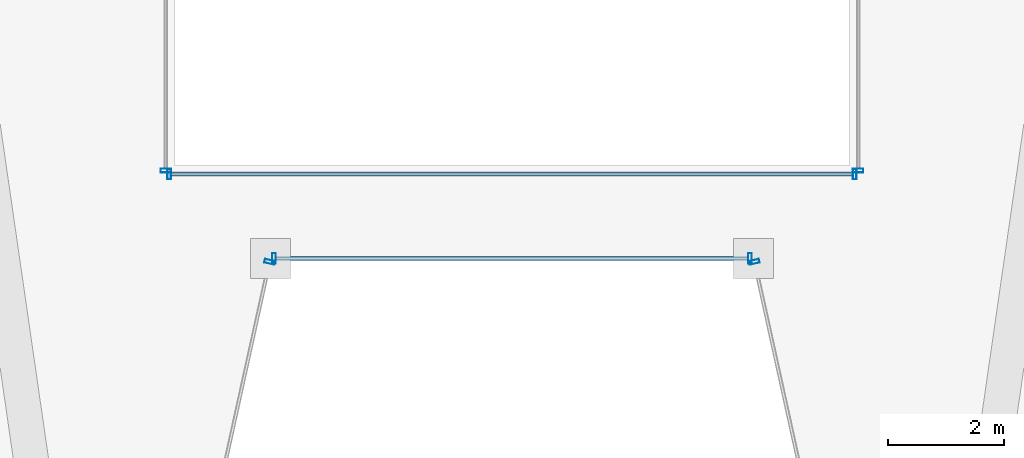
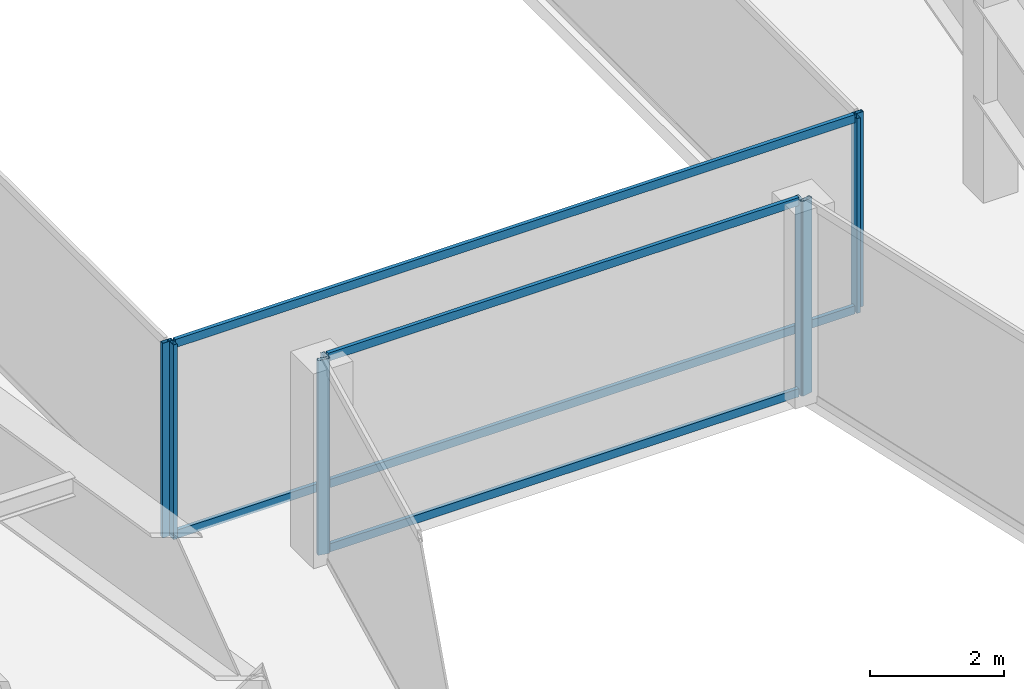
# One storey, part 7 of 37: 12 members, 6 elements without a shape of their own.
"""IFC4 building model written with IfcOpenShell, lengths in metres."""

from ifc_helpers import new_model, si_unit, direction, frame, origin, origin_2d, place, context, subcontext, project, spatial, hollow_rectangle, extrude, material, material_profile, profile_set, type_object, element, aggregate, save


model = new_model("IFC4")

# Units and contexts
model_context = context("Model", 3, precision=1e-05, world=origin(), true_north=direction((0.0, 1.0)))
body_context = subcontext(model_context, "Body", "Model", "MODEL_VIEW")
ifc_project = project(units=[si_unit("LENGTHUNIT", "METRE"), si_unit("AREAUNIT", "SQUARE_METRE"), si_unit("VOLUMEUNIT", "CUBIC_METRE"), si_unit("PLANEANGLEUNIT", "RADIAN"), si_unit("MASSUNIT", "GRAM", prefix="KILO")], contexts=[model_context])

# Site, building, storey
site_placement = place(None, origin())
site = spatial("IfcSite", under=ifc_project, at=site_placement, CompositionType="ELEMENT")
building_placement = place(site_placement, origin())
building = spatial("IfcBuilding", under=site, at=building_placement, Name="Saevonmaru Cultural Tower", CompositionType="ELEMENT")
storey_placement = place(building_placement, frame((0.0, 0.0, 163.800048828125)))
storey = spatial("IfcBuildingStorey", under=building, at=storey_placement, Name="L36", CompositionType="ELEMENT", Elevation=163.800048828125)

# Curtain wall, member
ifc_material = material(Name="Satin Bronze Anodised Aluminium", Category="aluminium")
curtain_wall_type_1 = type_object("IfcCurtainWallType", Name="CW-TYP-A", PredefinedType="NOTDEFINED", material=ifc_material)
curtain_wall_1_placement = place(storey_placement, origin())
curtain_wall_1 = element("IfcCurtainWall", 1, at=curtain_wall_1_placement, inside=storey, type_object=curtain_wall_type_1, Name="L36 Unitised Curtain Wall E3", PredefinedType="NOTDEFINED")
ifc_material_profile_1 = material_profile(ifc_material, hollow_rectangle(XDim=0.06494140625, YDim=0.179931640625, WallThickness=0.00390625, at=origin_2d()), Name="ALU-MULL-180x65x4")
ifc_profile_set_1 = profile_set([ifc_material_profile_1], Name="Satin Bronze Anodised Aluminium")
member_type_1 = type_object("IfcMemberType", Name="ML-CW-180x65", PredefinedType="MULLION", material=ifc_profile_set_1)
member_1_placement = place(storey_placement, frame((25.8359375, 20.741455078125, 0.0), z_axis=(0.0, 0.0, 1.0), x_axis=(0.215413319953, 0.976522965212, 0.0)))
member_1 = element("IfcMember", 2, at=member_1_placement, type_object=member_type_1, Name="CW-TW-L36-E3 mullion 2", PredefinedType="MULLION", context=body_context, shape_type="SweptSolid", body=[
    extrude(hollow_rectangle(XDim=0.06494140625, YDim=0.179931640625, WallThickness=0.00390625, at=origin_2d()), origin(), (0.0, 0.0, 1.0), 3.550048828125),
])
aggregate(curtain_wall_1, [member_1])

# Curtain wall, members
curtain_wall_2_placement = place(storey_placement, origin())
curtain_wall_2 = element("IfcCurtainWall", 3, at=curtain_wall_2_placement, inside=storey, type_object=curtain_wall_type_1, Name="L36 Unitised Curtain Wall E4", PredefinedType="NOTDEFINED")
member_2_placement = place(storey_placement, frame((25.908935546875, 20.800048828125, 0.0), z_axis=(0.0, 0.0, 1.0), x_axis=(1.0, 0.0, 0.0)))
member_2 = element("IfcMember", 4, at=member_2_placement, type_object=member_type_1, Name="CW-TW-L36-E4 mullion 1", PredefinedType="MULLION", context=body_context, shape_type="SweptSolid", body=[
    extrude(hollow_rectangle(XDim=0.06494140625, YDim=0.179931640625, WallThickness=0.00390625, at=origin_2d()), origin(), (0.0, 0.0, 1.0), 3.550048828125),
])
member_3_placement = place(storey_placement, frame((34.091064453125, 20.800048828125, 0.0), z_axis=(0.0, 0.0, 1.0), x_axis=(1.0, 0.0, 0.0)))
member_3 = element("IfcMember", 5, at=member_3_placement, type_object=member_type_1, Name="CW-TW-L36-E4 mullion 2", PredefinedType="MULLION", context=body_context, shape_type="SweptSolid", body=[
    extrude(hollow_rectangle(XDim=0.06494140625, YDim=0.179931640625, WallThickness=0.00390625, at=origin_2d()), origin(), (0.0, 0.0, 1.0), 3.550048828125),
])

# Curtain wall, member
curtain_wall_3_placement = place(storey_placement, origin())
curtain_wall_3 = element("IfcCurtainWall", 6, at=curtain_wall_3_placement, inside=storey, type_object=curtain_wall_type_1, Name="L36 Unitised Curtain Wall E5", PredefinedType="NOTDEFINED")
member_4_placement = place(storey_placement, frame((34.1640625, 20.741455078125, 0.0), z_axis=(0.0, 0.0, 1.0), x_axis=(0.215413319953, -0.976522965212, 0.0)))
member_4 = element("IfcMember", 7, at=member_4_placement, type_object=member_type_1, Name="CW-TW-L36-E5 mullion 1", PredefinedType="MULLION", context=body_context, shape_type="SweptSolid", body=[
    extrude(hollow_rectangle(XDim=0.06494140625, YDim=0.179931640625, WallThickness=0.00390625, at=origin_2d()), origin(), (0.0, 0.0, 1.0), 3.550048828125),
])
aggregate(curtain_wall_3, [member_4])

# Curtain wall, members
curtain_wall_type_2 = type_object("IfcCurtainWallType", Name="CW-ATR-GLZ", PredefinedType="NOTDEFINED", material=ifc_material)
curtain_wall_4_placement = place(storey_placement, origin())
curtain_wall_4 = element("IfcCurtainWall", 8, at=curtain_wall_4_placement, inside=storey, type_object=curtain_wall_type_2, Name="L36 Vertical Atrium Glazed Smoke Screen 1", PredefinedType="NOTDEFINED")
ifc_material_profile_2 = material_profile(ifc_material, hollow_rectangle(XDim=0.06494140625, YDim=0.179931640625, WallThickness=0.00390625, at=origin_2d()), Name="ALU-MULL-180x65x4")
ifc_profile_set_2 = profile_set([ifc_material_profile_2], Name="Satin Bronze Anodised Aluminium")
member_type_2 = type_object("IfcMemberType", Name="ML-CW-INT-180x65", PredefinedType="MULLION", material=ifc_profile_set_2)
member_5_placement = place(storey_placement, frame((24.110107421875, 22.25, 0.0), z_axis=(0.0, 0.0, 1.0), x_axis=(1.0, 0.0, 0.0)))
member_5 = element("IfcMember", 9, at=member_5_placement, type_object=member_type_2, Name="CW-ATR-L36-1 mullion 1", PredefinedType="MULLION", context=body_context, shape_type="SweptSolid", body=[
    extrude(hollow_rectangle(XDim=0.06494140625, YDim=0.179931640625, WallThickness=0.00390625, at=origin_2d()), origin(), (0.0, 0.0, 1.0), 3.550048828125),
])
member_6_placement = place(storey_placement, frame((35.889892578125, 22.25, 0.0), z_axis=(0.0, 0.0, 1.0), x_axis=(1.0, 0.0, 0.0)))
member_6 = element("IfcMember", 10, at=member_6_placement, type_object=member_type_2, Name="CW-ATR-L36-1 mullion 2", PredefinedType="MULLION", context=body_context, shape_type="SweptSolid", body=[
    extrude(hollow_rectangle(XDim=0.06494140625, YDim=0.179931640625, WallThickness=0.00390625, at=origin_2d()), origin(), (0.0, 0.0, 1.0), 3.550048828125),
])

# Curtain wall, member
curtain_wall_5_placement = place(storey_placement, origin())
curtain_wall_5 = element("IfcCurtainWall", 11, at=curtain_wall_5_placement, inside=storey, type_object=curtain_wall_type_2, Name="L36 Vertical Atrium Glazed Smoke Screen 2", PredefinedType="NOTDEFINED")
member_7_placement = place(storey_placement, frame((35.949951171875, 22.31005859375, 0.0), z_axis=(0.0, 0.0, 1.0), x_axis=(0.0, 1.0, 0.0)))
member_7 = element("IfcMember", 12, at=member_7_placement, type_object=member_type_2, Name="CW-ATR-L36-2 mullion 1", PredefinedType="MULLION", context=body_context, shape_type="SweptSolid", body=[
    extrude(hollow_rectangle(XDim=0.06494140625, YDim=0.179931640625, WallThickness=0.00390625, at=origin_2d()), origin(), (0.0, 0.0, 1.0), 3.550048828125),
])
aggregate(curtain_wall_5, [member_7])

curtain_wall_6_placement = place(storey_placement, origin())
curtain_wall_6 = element("IfcCurtainWall", 13, at=curtain_wall_6_placement, inside=storey, type_object=curtain_wall_type_2, Name="L36 Vertical Atrium Glazed Smoke Screen 4", PredefinedType="NOTDEFINED")
member_8_placement = place(storey_placement, frame((24.050048828125, 22.31005859375, 0.0), z_axis=(0.0, 0.0, 1.0), x_axis=(0.0, -1.0, 0.0)))
member_8 = element("IfcMember", 14, at=member_8_placement, type_object=member_type_2, Name="CW-ATR-L36-4 mullion 2", PredefinedType="MULLION", context=body_context, shape_type="SweptSolid", body=[
    extrude(hollow_rectangle(XDim=0.06494140625, YDim=0.179931640625, WallThickness=0.00390625, at=origin_2d()), origin(), (0.0, 0.0, 1.0), 3.550048828125),
])
aggregate(curtain_wall_6, [member_8])

# Member
ifc_material_profile_3 = material_profile(ifc_material, hollow_rectangle(XDim=0.06494140625, YDim=0.14990234375, WallThickness=0.00390625, at=origin_2d()), Name="ALU-TRAN-150x65x4")
ifc_profile_set_3 = profile_set([ifc_material_profile_3], Name="Satin Bronze Anodised Aluminium")
member_type_3 = type_object("IfcMemberType", Name="TR-CW-150x65", PredefinedType="USERDEFINED", material=ifc_profile_set_3)
member_9_placement = place(storey_placement, frame((25.94140625, 20.800048828125, 0.032470703125), z_axis=(1.0, 0.0, 0.0), x_axis=(0.0, 1.0, 0.0)))
member_9 = element("IfcMember", 15, at=member_9_placement, type_object=member_type_3, Name="CW-TW-L36-E4 transom 1.1", ObjectType="TRANSOM", PredefinedType="USERDEFINED", context=body_context, shape_type="SweptSolid", body=[
    extrude(hollow_rectangle(XDim=0.06494140625, YDim=0.14990234375, WallThickness=0.00390625, at=origin_2d()), origin(), (0.0, 0.0, 1.0), 8.1171875),
])

member_10_placement = place(storey_placement, frame((25.94140625, 20.800048828125, 3.517333984375), z_axis=(1.0, 0.0, 0.0), x_axis=(0.0, 1.0, 0.0)))
member_10 = element("IfcMember", 16, at=member_10_placement, type_object=member_type_3, Name="CW-TW-L36-E4 transom 1.2", ObjectType="TRANSOM", PredefinedType="USERDEFINED", context=body_context, shape_type="SweptSolid", body=[
    extrude(hollow_rectangle(XDim=0.06494140625, YDim=0.14990234375, WallThickness=0.00390625, at=origin_2d()), origin(), (0.0, 0.0, 1.0), 8.1171875),
])

aggregate(curtain_wall_2, [member_2, member_3, member_9, member_10])

ifc_material_profile_4 = material_profile(ifc_material, hollow_rectangle(XDim=0.06494140625, YDim=0.14990234375, WallThickness=0.00390625, at=origin_2d()), Name="ALU-TRAN-150x65x4")
ifc_profile_set_4 = profile_set([ifc_material_profile_4], Name="Satin Bronze Anodised Aluminium")
member_type_4 = type_object("IfcMemberType", Name="TR-CW-INT-150x65", PredefinedType="USERDEFINED", material=ifc_profile_set_4)
member_11_placement = place(storey_placement, frame((24.142578125, 22.25, 0.032470703125), z_axis=(1.0, 0.0, 0.0), x_axis=(0.0, 1.0, 0.0)))
member_11 = element("IfcMember", 17, at=member_11_placement, type_object=member_type_4, Name="CW-ATR-L36-1 transom 1.1", ObjectType="TRANSOM", PredefinedType="USERDEFINED", context=body_context, shape_type="SweptSolid", body=[
    extrude(hollow_rectangle(XDim=0.06494140625, YDim=0.14990234375, WallThickness=0.00390625, at=origin_2d()), origin(), (0.0, 0.0, 1.0), 11.71484375),
])

member_12_placement = place(storey_placement, frame((24.142578125, 22.25, 3.517333984375), z_axis=(1.0, 0.0, 0.0), x_axis=(0.0, 1.0, 0.0)))
member_12 = element("IfcMember", 18, at=member_12_placement, type_object=member_type_4, Name="CW-ATR-L36-1 transom 1.2", ObjectType="TRANSOM", PredefinedType="USERDEFINED", context=body_context, shape_type="SweptSolid", body=[
    extrude(hollow_rectangle(XDim=0.06494140625, YDim=0.14990234375, WallThickness=0.00390625, at=origin_2d()), origin(), (0.0, 0.0, 1.0), 11.71484375),
])

aggregate(curtain_wall_4, [member_5, member_6, member_11, member_12])

save(model, "model.ifc")
